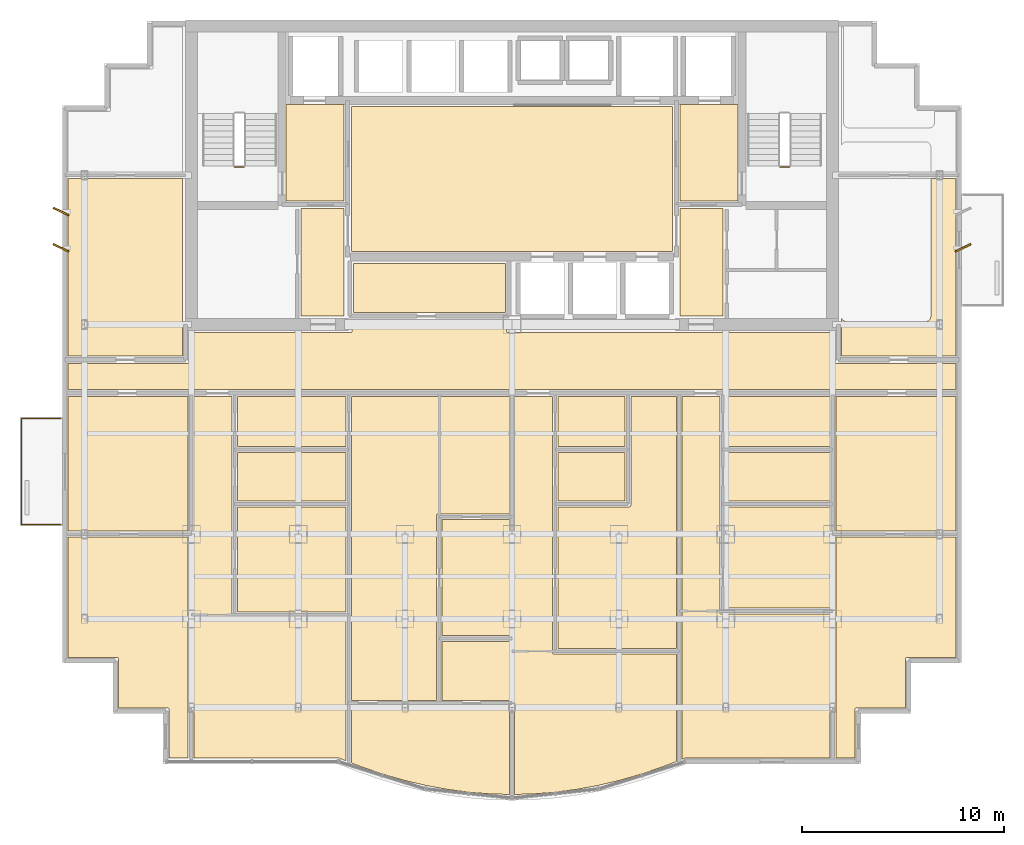
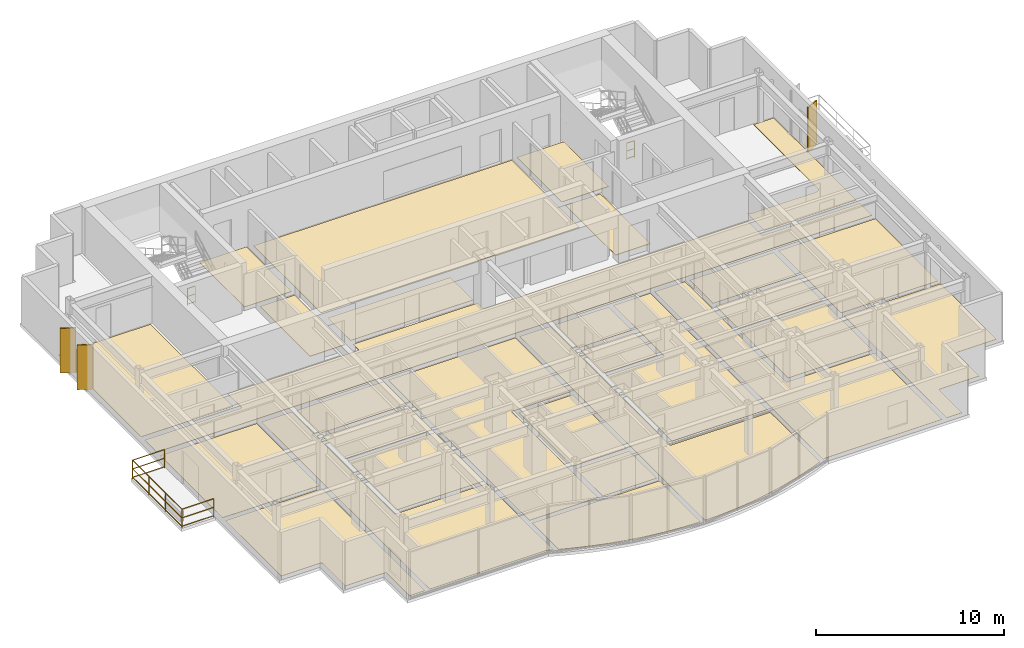
# One storey, part 10 of 11: 29 coverings, 3 railings, 3 shading devices.
"""IFC4 building model written with IfcOpenShell, lengths in metres."""

from ifc_helpers import new_model, si_unit, direction, frame, origin, origin_2d, place, context, subcontext, project, spatial, polyline, rectangle, circle, outline, extrude, source, transform, mapped, material, layer, layer_set, type_object, element, save


model = new_model("IFC4")

# Units and contexts
model_context = context("Model", 3, precision=1e-05, world=origin(), true_north=direction((0.0, 1.0)))
body_context = subcontext(model_context, "Body", "Model", "MODEL_VIEW")
ifc_project = project(units=[si_unit("LENGTHUNIT", "METRE"), si_unit("AREAUNIT", "SQUARE_METRE"), si_unit("VOLUMEUNIT", "CUBIC_METRE"), si_unit("PLANEANGLEUNIT", "RADIAN"), si_unit("MASSUNIT", "GRAM", prefix="KILO")], contexts=[model_context])

# Site, building, storey
site_placement = place(None, origin())
site = spatial("IfcSite", under=ifc_project, at=site_placement, CompositionType="ELEMENT")
building_placement = place(site_placement, origin())
building = spatial("IfcBuilding", under=site, at=building_placement, Name="Qianlan Lanfeng Residences", CompositionType="ELEMENT")
storey_placement = place(building_placement, frame((0.0, 0.0, 152.39990234375)))
storey = spatial("IfcBuildingStorey", under=building, at=storey_placement, Name="L41", CompositionType="ELEMENT", Elevation=152.39990234375)

# Coverings
ifc_material_1 = material(Name="Honed Taitung Granite Stone Flooring", Category="masonry")
ifc_layer_1 = layer(ifc_material_1, 0.030029296875)
ifc_layer_set_1 = layer_set([ifc_layer_1], Name="Honed Taitung Granite Stone Flooring")
covering_type_1 = type_object("IfcCoveringType", Name="FLR-STN-30", PredefinedType="FLOORING", material=ifc_layer_set_1)
covering_1_placement = place(storey_placement, origin())
element("IfcCovering", 1, at=covering_1_placement, inside=storey, type_object=covering_type_1, Name="L41 Firefighting Lift Lobby Floor Finish", PredefinedType="FLOORING", context=body_context, shape_type="SweptSolid", body=[
    extrude(outline(polyline([(15.2900390625, 31.320068359375), (18.179931640625, 31.320068359375), (18.179931640625, 36.110107421875), (15.2900390625, 36.110107421875), (15.2900390625, 31.320068359375)])), origin(), (0.0, 0.0, 1.0), 0.030029296875),
])
covering_2_placement = place(storey_placement, origin())
element("IfcCovering", 2, at=covering_2_placement, inside=storey, type_object=covering_type_1, Name="L41 Firefighting Lift Lobby Floor Finish", PredefinedType="FLOORING", context=body_context, shape_type="SweptSolid", body=[
    extrude(outline(polyline([(34.820068359375, 31.320068359375), (37.7099609375, 31.320068359375), (37.7099609375, 36.110107421875), (34.820068359375, 36.110107421875), (34.820068359375, 31.320068359375)])), origin(), (0.0, 0.0, 1.0), 0.030029296875),
])
covering_3_placement = place(storey_placement, origin())
element("IfcCovering", 3, at=covering_3_placement, inside=storey, type_object=covering_type_1, Name="L41 Lift Lobby Floor Finish", PredefinedType="FLOORING", context=body_context, shape_type="SweptSolid", body=[
    extrude(outline(polyline([(18.550048828125, 28.820068359375), (34.449951171875, 28.820068359375), (34.449951171875, 36.010009765625), (18.550048828125, 36.010009765625), (18.550048828125, 28.820068359375)])), origin(), (0.0, 0.0, 1.0), 0.030029296875),
])
covering_4_placement = place(storey_placement, origin())
element("IfcCovering", 4, at=covering_4_placement, inside=storey, type_object=covering_type_1, Name="L41 Residential Corridor Floor Finish", PredefinedType="FLOORING", context=body_context, shape_type="SweptSolid", body=[
    extrude(outline(polyline([(4.489990234375, 21.97998046875), (48.510009765625, 21.97998046875), (48.510009765625, 23.27001953125), (42.590087890625, 23.27001953125), (42.5830078125, 23.27001953125), (42.575927734375, 23.27099609375), (42.570068359375, 23.27294921875), (42.56298828125, 23.27490234375), (42.556884765625, 23.278076171875), (42.551025390625, 23.281982421875), (42.5458984375, 23.285888671875), (42.541015625, 23.291015625), (42.535888671875, 23.2958984375), (42.531982421875, 23.301025390625), (42.528076171875, 23.306884765625), (42.52490234375, 23.31298828125), (42.52294921875, 23.320068359375), (42.52099609375, 23.325927734375), (42.52001953125, 23.3330078125), (42.52001953125, 23.340087890625), (42.52001953125, 24.800048828125), (26.300048828125, 24.800048828125), (26.29296875, 24.800048828125), (26.285888671875, 24.801025390625), (26.280029296875, 24.802978515625), (26.27294921875, 24.804931640625), (26.26708984375, 24.80810546875), (26.260986328125, 24.81201171875), (26.256103515625, 24.81591796875), (26.2509765625, 24.821044921875), (26.24609375, 24.825927734375), (26.241943359375, 24.8310546875), (26.238037109375, 24.8369140625), (26.235107421875, 24.843017578125), (26.23291015625, 24.85009765625), (26.23095703125, 24.85595703125), (26.22998046875, 24.863037109375), (26.22998046875, 24.8701171875), (26.22998046875, 25.429931640625), (18.570068359375, 25.429931640625), (18.570068359375, 24.8701171875), (18.570068359375, 24.863037109375), (18.569091796875, 24.85595703125), (18.56689453125, 24.85009765625), (18.56494140625, 24.843017578125), (18.56201171875, 24.8369140625), (18.55810546875, 24.8310546875), (18.553955078125, 24.825927734375), (18.549072265625, 24.821044921875), (18.5439453125, 24.81591796875), (18.5390625, 24.81201171875), (18.532958984375, 24.80810546875), (18.527099609375, 24.804931640625), (18.52001953125, 24.802978515625), (18.513916015625, 24.801025390625), (18.507080078125, 24.800048828125), (18.5, 24.800048828125), (10.47998046875, 24.800048828125), (10.47998046875, 23.340087890625), (10.47998046875, 23.3330078125), (10.47900390625, 23.325927734375), (10.47705078125, 23.320068359375), (10.47509765625, 23.31298828125), (10.471923828125, 23.306884765625), (10.468017578125, 23.301025390625), (10.464111328125, 23.2958984375), (10.458984375, 23.291015625), (10.4541015625, 23.285888671875), (10.448974609375, 23.281982421875), (10.443115234375, 23.278076171875), (10.43701171875, 23.27490234375), (10.429931640625, 23.27294921875), (10.424072265625, 23.27099609375), (10.4169921875, 23.27001953125), (10.409912109375, 23.27001953125), (4.489990234375, 23.27001953125), (4.489990234375, 21.97998046875)])), origin(), (0.0, 0.0, 1.0), 0.030029296875),
])
covering_5_placement = place(storey_placement, origin())
element("IfcCovering", 5, at=covering_5_placement, inside=storey, type_object=covering_type_1, Name="L41 Lift Lobby Floor Finish", PredefinedType="FLOORING", context=body_context, shape_type="SweptSolid", body=[
    extrude(outline(polyline([(16.030029296875, 25.610107421875), (18.169921875, 25.610107421875), (18.169921875, 30.949951171875), (16.030029296875, 30.949951171875), (16.030029296875, 25.610107421875)])), origin(), (0.0, 0.0, 1.0), 0.030029296875),
])
covering_6_placement = place(storey_placement, origin())
element("IfcCovering", 6, at=covering_6_placement, inside=storey, type_object=covering_type_1, Name="L41 Lift Lobby Floor Finish", PredefinedType="FLOORING", context=body_context, shape_type="SweptSolid", body=[
    extrude(outline(polyline([(34.830078125, 25.610107421875), (36.969970703125, 25.610107421875), (36.969970703125, 30.949951171875), (34.830078125, 30.949951171875), (34.830078125, 25.610107421875)])), origin(), (0.0, 0.0, 1.0), 0.030029296875),
])
ifc_material_2 = material(Name="Slip-Resistant Porcelain Tile Flooring")
ifc_layer_2 = layer(ifc_material_2, 0.02001953125)
ifc_layer_set_2 = layer_set([ifc_layer_2], Name="Slip-Resistant Porcelain Tile Flooring")
covering_type_2 = type_object("IfcCoveringType", Name="FLR-TIL-20", PredefinedType="FLOORING", material=ifc_layer_set_2)
covering_7_placement = place(storey_placement, origin())
element("IfcCovering", 7, at=covering_7_placement, inside=storey, type_object=covering_type_2, Name="L41 Kitchen Floor Finish", PredefinedType="FLOORING", context=body_context, shape_type="SweptSolid", body=[
    extrude(outline(polyline([(12.889892578125, 16.43994140625), (18.260009765625, 16.43994140625), (18.260009765625, 18.860107421875), (12.889892578125, 18.860107421875), (12.889892578125, 16.43994140625)])), origin(), (0.0, 0.0, 1.0), 0.02001953125),
])
covering_8_placement = place(storey_placement, origin())
element("IfcCovering", 8, at=covering_8_placement, inside=storey, type_object=covering_type_2, Name="L41 Bathroom Floor Finish", PredefinedType="FLOORING", context=body_context, shape_type="SweptSolid", body=[
    extrude(outline(polyline([(12.889892578125, 19.139892578125), (18.260009765625, 19.139892578125), (18.260009765625, 21.6298828125), (12.889892578125, 21.6298828125), (12.889892578125, 19.139892578125)])), origin(), (0.0, 0.0, 1.0), 0.02001953125),
])
covering_9_placement = place(storey_placement, origin())
element("IfcCovering", 9, at=covering_9_placement, inside=storey, type_object=covering_type_2, Name="L41 En-Suite Bathroom Floor Finish", PredefinedType="FLOORING", context=body_context, shape_type="SweptSolid", body=[
    extrude(outline(polyline([(23.0400390625, 6.56396484375), (26.3701171875, 6.56396484375), (26.3701171875, 9.48388671875), (23.0400390625, 9.48388671875), (23.0400390625, 6.56396484375)])), origin(), (0.0, 0.0, 1.0), 0.02001953125),
])
covering_10_placement = place(storey_placement, origin())
element("IfcCovering", 10, at=covering_10_placement, inside=storey, type_object=covering_type_2, Name="L41 Kitchen Floor Finish", PredefinedType="FLOORING", context=body_context, shape_type="SweptSolid", body=[
    extrude(outline(polyline([(28.7900390625, 16.43994140625), (32.110107421875, 16.43994140625), (32.110107421875, 18.860107421875), (28.7900390625, 18.860107421875), (28.7900390625, 16.43994140625)])), origin(), (0.0, 0.0, 1.0), 0.02001953125),
])
covering_11_placement = place(storey_placement, origin())
element("IfcCovering", 11, at=covering_11_placement, inside=storey, type_object=covering_type_2, Name="L41 Bathroom Floor Finish", PredefinedType="FLOORING", context=body_context, shape_type="SweptSolid", body=[
    extrude(outline(polyline([(28.7900390625, 19.139892578125), (32.110107421875, 19.139892578125), (32.110107421875, 21.6298828125), (28.7900390625, 21.6298828125), (28.7900390625, 19.139892578125)])), origin(), (0.0, 0.0, 1.0), 0.02001953125),
])
covering_12_placement = place(storey_placement, origin())
element("IfcCovering", 12, at=covering_12_placement, inside=storey, type_object=covering_type_2, Name="L41 Kitchen Floor Finish", PredefinedType="FLOORING", context=body_context, shape_type="SweptSolid", body=[
    extrude(outline(polyline([(37.090087890625, 16.43994140625), (42.260009765625, 16.43994140625), (42.260009765625, 18.860107421875), (37.090087890625, 18.860107421875), (37.090087890625, 16.43994140625)])), origin(), (0.0, 0.0, 1.0), 0.02001953125),
])
covering_13_placement = place(storey_placement, origin())
element("IfcCovering", 13, at=covering_13_placement, inside=storey, type_object=covering_type_2, Name="L41 Bathroom Floor Finish", PredefinedType="FLOORING", context=body_context, shape_type="SweptSolid", body=[
    extrude(outline(polyline([(37.090087890625, 19.139892578125), (42.260009765625, 19.139892578125), (42.260009765625, 21.6298828125), (37.090087890625, 21.6298828125), (37.090087890625, 19.139892578125)])), origin(), (0.0, 0.0, 1.0), 0.02001953125),
])
ifc_material_3 = material(Name="Engineered Smoked Oak Timber Flooring", Category="wood")
ifc_layer_3 = layer(ifc_material_3, 0.02197265625)
ifc_layer_set_3 = layer_set([ifc_layer_3], Name="Engineered Smoked Oak Timber Flooring")
covering_type_3 = type_object("IfcCoveringType", Name="FLR-TIM-22", PredefinedType="FLOORING", material=ifc_layer_set_3)
covering_14_placement = place(storey_placement, origin())
element("IfcCovering", 14, at=covering_14_placement, inside=storey, type_object=covering_type_3, Name="L41 Resident Reading Lounge Floor Finish", PredefinedType="FLOORING", context=body_context, shape_type="SweptSolid", body=[
    extrude(outline(polyline([(18.6298828125, 25.800048828125), (26.169921875, 25.800048828125), (26.169921875, 28.22998046875), (18.6298828125, 28.22998046875), (18.6298828125, 25.800048828125)])), origin(), (0.0, 0.0, 1.0), 0.022216796875),
])
covering_15_placement = place(storey_placement, origin())
element("IfcCovering", 15, at=covering_15_placement, inside=storey, type_object=covering_type_3, Name="L41 Living and Dining Room Floor Finish", PredefinedType="FLOORING", context=body_context, shape_type="SweptSolid", body=[
    extrude(outline(polyline([(18.27001953125, 3.55908203125), (18.27001953125, 10.658935546875), (12.679931640625, 10.658935546875), (12.673095703125, 10.658935546875), (12.666015625, 10.659912109375), (12.659912109375, 10.662109375), (12.653076171875, 10.6640625), (12.64697265625, 10.6669921875), (12.64111328125, 10.6708984375), (12.635986328125, 10.675048828125), (12.631103515625, 10.679931640625), (12.6259765625, 10.68505859375), (12.6220703125, 10.68994140625), (12.617919921875, 10.696044921875), (12.614990234375, 10.701904296875), (12.613037109375, 10.708984375), (12.611083984375, 10.715087890625), (12.610107421875, 10.721923828125), (12.610107421875, 10.72900390625), (12.610107421875, 21.6298828125), (10.72998046875, 21.6298828125), (10.72998046875, 3.68994140625), (17.922119140625, 3.68994140625), (17.927978515625, 3.68994140625), (17.93505859375, 3.68896484375), (17.94091796875, 3.68701171875), (17.947021484375, 3.68505859375), (18.27001953125, 3.55908203125)])), origin(), (0.0, 0.0, 1.0), 0.022216796875),
])
covering_16_placement = place(storey_placement, origin())
element("IfcCovering", 16, at=covering_16_placement, inside=storey, type_object=covering_type_3, Name="L41 Villa Family Sitting Room Floor Finish", PredefinedType="FLOORING", context=body_context, shape_type="SweptSolid", body=[
    extrude(outline(polyline([(12.889892578125, 16.159912109375), (12.889892578125, 10.93896484375), (18.27001953125, 10.93896484375), (18.27001953125, 16.159912109375), (12.889892578125, 16.159912109375)])), origin(), (0.0, 0.0, 1.0), 0.022216796875),
])
covering_17_placement = place(storey_placement, origin())
element("IfcCovering", 17, at=covering_17_placement, inside=storey, type_object=covering_type_3, Name="L41 Private Study Floor Finish", PredefinedType="FLOORING", context=body_context, shape_type="SweptSolid", body=[
    extrude(outline(polyline([(23.0400390625, 9.763916015625), (26.3701171875, 9.763916015625), (26.3701171875, 15.52197265625), (23.0400390625, 15.52197265625), (23.0400390625, 9.763916015625)])), origin(), (0.0, 0.0, 1.0), 0.022216796875),
])
covering_18_placement = place(storey_placement, origin())
element("IfcCovering", 18, at=covering_18_placement, inside=storey, type_object=covering_type_3, Name="L41 Villa Family Sitting Room Floor Finish", PredefinedType="FLOORING", context=body_context, shape_type="SweptSolid", body=[
    extrude(outline(polyline([(18.530029296875, 6.56396484375), (22.760009765625, 6.56396484375), (22.760009765625, 15.73193359375), (22.760009765625, 15.739013671875), (22.760986328125, 15.74609375), (22.762939453125, 15.751953125), (22.764892578125, 15.759033203125), (22.76806640625, 15.764892578125), (22.77197265625, 15.77099609375), (22.77587890625, 15.77587890625), (22.781005859375, 15.781005859375), (22.785888671875, 15.785888671875), (22.791015625, 15.7900390625), (22.797119140625, 15.7939453125), (22.802978515625, 15.797119140625), (22.81005859375, 15.799072265625), (22.81591796875, 15.801025390625), (22.822998046875, 15.802001953125), (22.830078125, 15.802001953125), (26.3701171875, 15.802001953125), (26.3701171875, 21.6298828125), (18.530029296875, 21.6298828125), (18.530029296875, 6.56396484375)])), origin(), (0.0, 0.0, 1.0), 0.022216796875),
])
covering_19_placement = place(storey_placement, origin())
element("IfcCovering", 19, at=covering_19_placement, inside=storey, type_object=covering_type_3, Name="L41 Master Bedroom Floor Finish", PredefinedType="FLOORING", context=body_context, shape_type="SweptSolid", body=[
    extrude(outline(polyline([(18.530029296875, 6.283935546875), (18.530029296875, 3.45703125), (19.056884765625, 3.25), (20.1220703125, 2.888916015625), (21.18505859375, 2.583984375), (22.2490234375, 2.333984375), (23.31201171875, 2.139892578125), (24.375, 2.001953125), (25.43701171875, 1.91796875), (26.3701171875, 1.89306640625), (26.3701171875, 6.283935546875), (18.530029296875, 6.283935546875)])), origin(), (0.0, 0.0, 1.0), 0.022216796875),
])
covering_20_placement = place(storey_placement, origin())
element("IfcCovering", 20, at=covering_20_placement, inside=storey, type_object=covering_type_3, Name="L41 Studio Living Room Floor Finish", PredefinedType="FLOORING", context=body_context, shape_type="SweptSolid", body=[
    extrude(outline(polyline([(34.669921875, 3.534912109375), (34.669921875, 8.85107421875), (28.580078125, 8.85107421875), (28.572998046875, 8.85107421875), (28.56591796875, 8.85205078125), (28.56005859375, 8.85400390625), (28.552978515625, 8.85595703125), (28.547119140625, 8.85888671875), (28.541015625, 8.863037109375), (28.535888671875, 8.866943359375), (28.531005859375, 8.8720703125), (28.52587890625, 8.876953125), (28.52197265625, 8.882080078125), (28.51806640625, 8.887939453125), (28.514892578125, 8.89404296875), (28.512939453125, 8.90087890625), (28.510986328125, 8.906982421875), (28.510009765625, 8.9140625), (28.510009765625, 8.9208984375), (28.510009765625, 21.6298828125), (26.6298828125, 21.6298828125), (26.6298828125, 1.89306640625), (27.56298828125, 1.91796875), (28.625, 2.0009765625), (29.68701171875, 2.139892578125), (30.7509765625, 2.333984375), (31.81396484375, 2.583984375), (32.8779296875, 2.888916015625), (33.94189453125, 3.25), (34.669921875, 3.534912109375)])), origin(), (0.0, 0.0, 1.0), 0.022216796875),
])
covering_21_placement = place(storey_placement, origin())
element("IfcCovering", 21, at=covering_21_placement, inside=storey, type_object=covering_type_3, Name="L41 Villa Family Sitting Room Floor Finish", PredefinedType="FLOORING", context=body_context, shape_type="SweptSolid", body=[
    extrude(outline(polyline([(28.7900390625, 9.131103515625), (34.669921875, 9.131103515625), (34.669921875, 21.6298828125), (32.389892578125, 21.6298828125), (32.389892578125, 16.22998046875), (32.389892578125, 16.222900390625), (32.388916015625, 16.216064453125), (32.386962890625, 16.2099609375), (32.385009765625, 16.202880859375), (32.382080078125, 16.197021484375), (32.3779296875, 16.19091796875), (32.3740234375, 16.18603515625), (32.368896484375, 16.180908203125), (32.364013671875, 16.176025390625), (32.35888671875, 16.172119140625), (32.35302734375, 16.16796875), (32.346923828125, 16.1650390625), (32.340087890625, 16.1630859375), (32.333984375, 16.160888671875), (32.326904296875, 16.159912109375), (32.320068359375, 16.159912109375), (28.7900390625, 16.159912109375), (28.7900390625, 9.131103515625)])), origin(), (0.0, 0.0, 1.0), 0.022216796875),
])
covering_22_placement = place(storey_placement, origin())
element("IfcCovering", 22, at=covering_22_placement, inside=storey, type_object=covering_type_3, Name="L41 Studio Living Room Floor Finish", PredefinedType="FLOORING", context=body_context, shape_type="SweptSolid", body=[
    extrude(outline(polyline([(42.27001953125, 3.68994140625), (42.27001953125, 10.847900390625), (36.8798828125, 10.847900390625), (36.873046875, 10.847900390625), (36.865966796875, 10.84912109375), (36.860107421875, 10.85107421875), (36.85302734375, 10.85302734375), (36.846923828125, 10.85595703125), (36.841064453125, 10.860107421875), (36.8359375, 10.864013671875), (36.8310546875, 10.868896484375), (36.825927734375, 10.8740234375), (36.822021484375, 10.87890625), (36.818115234375, 10.885009765625), (36.81494140625, 10.89111328125), (36.81298828125, 10.89794921875), (36.81103515625, 10.904052734375), (36.81005859375, 10.910888671875), (36.81005859375, 10.91796875), (36.81005859375, 21.6298828125), (34.929931640625, 21.6298828125), (34.929931640625, 3.636962890625), (35.052978515625, 3.68505859375), (35.05908203125, 3.68701171875), (35.06494140625, 3.68896484375), (35.072021484375, 3.68994140625), (35.077880859375, 3.68994140625), (42.27001953125, 3.68994140625)])), origin(), (0.0, 0.0, 1.0), 0.022216796875),
])
covering_23_placement = place(storey_placement, origin())
element("IfcCovering", 23, at=covering_23_placement, inside=storey, type_object=covering_type_3, Name="L41 Villa Family Sitting Room Floor Finish", PredefinedType="FLOORING", context=body_context, shape_type="SweptSolid", body=[
    extrude(outline(polyline([(37.090087890625, 16.159912109375), (37.090087890625, 11.1279296875), (42.27001953125, 11.1279296875), (42.27001953125, 16.159912109375), (37.090087890625, 16.159912109375)])), origin(), (0.0, 0.0, 1.0), 0.022216796875),
])
covering_24_placement = place(storey_placement, origin())
element("IfcCovering", 24, at=covering_24_placement, inside=storey, type_object=covering_type_3, Name="L41 Sunroom Floor Finish", PredefinedType="FLOORING", context=body_context, shape_type="SweptSolid", body=[
    extrude(outline(polyline([(10.43994140625, 14.64990234375), (4.489990234375, 14.64990234375), (4.489990234375, 8.68994140625), (6.919921875, 8.68994140625), (6.927001953125, 8.68994140625), (6.93408203125, 8.68896484375), (6.93994140625, 8.68701171875), (6.947021484375, 8.68505859375), (6.952880859375, 8.681884765625), (6.958984375, 8.677978515625), (6.964111328125, 8.674072265625), (6.968994140625, 8.6689453125), (6.97412109375, 8.6640625), (6.97802734375, 8.658935546875), (6.98193359375, 8.653076171875), (6.985107421875, 8.64697265625), (6.987060546875, 8.639892578125), (6.989013671875, 8.634033203125), (6.989990234375, 8.626953125), (6.989990234375, 8.6201171875), (6.989990234375, 6.18994140625), (9.419921875, 6.18994140625), (9.427001953125, 6.18994140625), (9.43408203125, 6.18896484375), (9.43994140625, 6.18701171875), (9.447021484375, 6.18505859375), (9.452880859375, 6.181884765625), (9.458984375, 6.177978515625), (9.464111328125, 6.174072265625), (9.468994140625, 6.1689453125), (9.47412109375, 6.1640625), (9.47802734375, 6.158935546875), (9.48193359375, 6.153076171875), (9.485107421875, 6.14697265625), (9.487060546875, 6.139892578125), (9.489013671875, 6.134033203125), (9.489990234375, 6.126953125), (9.489990234375, 6.1201171875), (9.489990234375, 3.68994140625), (10.43994140625, 3.68994140625), (10.43994140625, 14.64990234375)])), origin(), (0.0, 0.0, 1.0), 0.022216796875),
])
covering_25_placement = place(storey_placement, origin())
element("IfcCovering", 25, at=covering_25_placement, inside=storey, type_object=covering_type_3, Name="L41 Family Sitting Room Floor Finish", PredefinedType="FLOORING", context=body_context, shape_type="SweptSolid", body=[
    extrude(outline(polyline([(10.43994140625, 21.6298828125), (4.489990234375, 21.6298828125), (4.489990234375, 14.949951171875), (10.43994140625, 14.949951171875), (10.43994140625, 21.6298828125)])), origin(), (0.0, 0.0, 1.0), 0.022216796875),
])
covering_26_placement = place(storey_placement, origin())
element("IfcCovering", 26, at=covering_26_placement, inside=storey, type_object=covering_type_3, Name="L41 Sunroom Floor Finish", PredefinedType="FLOORING", context=body_context, shape_type="SweptSolid", body=[
    extrude(outline(polyline([(48.510009765625, 14.64990234375), (42.56005859375, 14.64990234375), (42.56005859375, 3.68994140625), (43.510009765625, 3.68994140625), (43.510009765625, 6.1201171875), (43.510009765625, 6.126953125), (43.510986328125, 6.134033203125), (43.512939453125, 6.139892578125), (43.514892578125, 6.14697265625), (43.51806640625, 6.153076171875), (43.52197265625, 6.158935546875), (43.52587890625, 6.1640625), (43.531005859375, 6.1689453125), (43.535888671875, 6.174072265625), (43.541015625, 6.177978515625), (43.547119140625, 6.181884765625), (43.552978515625, 6.18505859375), (43.56005859375, 6.18701171875), (43.56591796875, 6.18896484375), (43.572998046875, 6.18994140625), (43.580078125, 6.18994140625), (46.010009765625, 6.18994140625), (46.010009765625, 8.6201171875), (46.010009765625, 8.626953125), (46.010986328125, 8.634033203125), (46.012939453125, 8.639892578125), (46.014892578125, 8.64697265625), (46.01806640625, 8.653076171875), (46.02197265625, 8.658935546875), (46.02587890625, 8.6640625), (46.031005859375, 8.6689453125), (46.035888671875, 8.674072265625), (46.041015625, 8.677978515625), (46.047119140625, 8.681884765625), (46.052978515625, 8.68505859375), (46.06005859375, 8.68701171875), (46.06591796875, 8.68896484375), (46.072998046875, 8.68994140625), (46.080078125, 8.68994140625), (48.510009765625, 8.68994140625), (48.510009765625, 14.64990234375)])), origin(), (0.0, 0.0, 1.0), 0.022216796875),
])
covering_27_placement = place(storey_placement, origin())
element("IfcCovering", 27, at=covering_27_placement, inside=storey, type_object=covering_type_3, Name="L41 Private Study Floor Finish", PredefinedType="FLOORING", context=body_context, shape_type="SweptSolid", body=[
    extrude(outline(polyline([(48.510009765625, 21.6298828125), (42.56005859375, 21.6298828125), (42.56005859375, 14.949951171875), (48.510009765625, 14.949951171875), (48.510009765625, 21.6298828125)])), origin(), (0.0, 0.0, 1.0), 0.022216796875),
])
covering_28_placement = place(storey_placement, origin())
element("IfcCovering", 28, at=covering_28_placement, inside=storey, type_object=covering_type_3, Name="L41 Cigar and Tea Room Floor Finish", PredefinedType="FLOORING", context=body_context, shape_type="SweptSolid", body=[
    extrude(outline(polyline([(10.14990234375, 32.449951171875), (4.489990234375, 32.449951171875), (4.489990234375, 23.6298828125), (10.14990234375, 23.6298828125), (10.14990234375, 32.449951171875)])), origin(), (0.0, 0.0, 1.0), 0.022216796875),
])
covering_29_placement = place(storey_placement, origin())
element("IfcCovering", 29, at=covering_29_placement, inside=storey, type_object=covering_type_3, Name="L41 Cigar and Tea Room Floor Finish", PredefinedType="FLOORING", context=body_context, shape_type="SweptSolid", body=[
    extrude(outline(polyline([(48.510009765625, 32.449951171875), (47.27001953125, 32.449951171875), (47.27001953125, 25.60009765625), (47.26904296875, 25.574951171875), (47.264892578125, 25.551025390625), (47.259033203125, 25.527099609375), (47.2509765625, 25.50390625), (47.239990234375, 25.48193359375), (47.22802734375, 25.4609375), (47.212890625, 25.44091796875), (47.197021484375, 25.423095703125), (47.178955078125, 25.406982421875), (47.158935546875, 25.39208984375), (47.137939453125, 25.3798828125), (47.115966796875, 25.368896484375), (47.093017578125, 25.361083984375), (47.069091796875, 25.35498046875), (47.044921875, 25.35107421875), (47.02001953125, 25.35009765625), (43.080078125, 25.35009765625), (43.054931640625, 25.35107421875), (43.031005859375, 25.35498046875), (43.007080078125, 25.361083984375), (42.98388671875, 25.368896484375), (42.9619140625, 25.3798828125), (42.94091796875, 25.39208984375), (42.9208984375, 25.406982421875), (42.903076171875, 25.423095703125), (42.886962890625, 25.44091796875), (42.8720703125, 25.4609375), (42.860107421875, 25.48193359375), (42.85009765625, 25.501953125), (42.85009765625, 23.6298828125), (48.510009765625, 23.6298828125), (48.510009765625, 32.449951171875)])), origin(), (0.0, 0.0, 1.0), 0.022216796875),
])

# Railings
ifc_material_4 = material(Name="Anodised Bronze Aluminium and Laminated Glass Guard Balustrade", Category="aluminium")
railing_type_1 = type_object("IfcRailingType", Name="GR-EXT-1220", PredefinedType="BALUSTRADE", material=ifc_material_4)
railing_placement = place(storey_placement, frame((4.1298828125, 15.27001953125, 0.0)))
element("IfcRailing", 30, at=railing_placement, inside=storey, type_object=railing_type_1, Name="L41 Terrace Safety Guard GR-L41-WB-S", PredefinedType="BALUSTRADE", context=body_context, shape_type="SweptSolid", body=[
    extrude(circle(Radius=0.02490234375, at=origin_2d()), frame((0.0, 0.0, 0.0849609375), z_axis=(-1.0, 0.0, 0.0), x_axis=(0.0, -1.0, 0.0)), (0.0, 0.0, 1.0), 1.9599609375),
    extrude(circle(Radius=0.02490234375, at=origin_2d()), frame((0.0, 0.0, 0.63427734375), z_axis=(-1.0, 0.0, 0.0), x_axis=(0.0, -1.0, 0.0)), (0.0, 0.0, 1.0), 1.9599609375),
    extrude(circle(Radius=0.02490234375, at=origin_2d()), frame((0.0, 0.0, 1.19482421875), z_axis=(-1.0, 0.0, 0.0), x_axis=(0.0, -1.0, 0.0)), (0.0, 0.0, 1.0), 1.9599609375),
    extrude(circle(Radius=0.02490234375, at=origin_2d()), frame((-1.9599609375, 0.0, 0.0849609375), z_axis=(0.0, 1.0, 0.0), x_axis=(-1.0, 0.0, 0.0)), (0.0, 0.0, 1.0), 5.260009765625),
    extrude(circle(Radius=0.02490234375, at=origin_2d()), frame((-1.9599609375, 0.0, 0.63427734375), z_axis=(0.0, 1.0, 0.0), x_axis=(-1.0, 0.0, 0.0)), (0.0, 0.0, 1.0), 5.260009765625),
    extrude(circle(Radius=0.02490234375, at=origin_2d()), frame((-1.9599609375, 0.0, 1.19482421875), z_axis=(0.0, 1.0, 0.0), x_axis=(-1.0, 0.0, 0.0)), (0.0, 0.0, 1.0), 5.260009765625),
    extrude(circle(Radius=0.02490234375, at=origin_2d()), frame((-1.9599609375, 5.260009765625, 0.0849609375), z_axis=(1.0, 0.0, 0.0), x_axis=(0.0, 1.0, 0.0)), (0.0, 0.0, 1.0), 1.9599609375),
    extrude(circle(Radius=0.02490234375, at=origin_2d()), frame((-1.9599609375, 5.260009765625, 0.63427734375), z_axis=(1.0, 0.0, 0.0), x_axis=(0.0, 1.0, 0.0)), (0.0, 0.0, 1.0), 1.9599609375),
    extrude(circle(Radius=0.02490234375, at=origin_2d()), frame((-1.9599609375, 5.260009765625, 1.19482421875), z_axis=(1.0, 0.0, 0.0), x_axis=(0.0, 1.0, 0.0)), (0.0, 0.0, 1.0), 1.9599609375),
    extrude(circle(Radius=0.02099609375, at=origin_2d()), origin(), (0.0, 0.0, 1.0), 1.169921875),
    extrude(circle(Radius=0.02099609375, at=origin_2d()), frame((-1.9599609375, 0.0, 0.0)), (0.0, 0.0, 1.0), 1.169921875),
    extrude(circle(Radius=0.02099609375, at=origin_2d()), frame((-1.9599609375, 1.75341796875, 0.0)), (0.0, 0.0, 1.0), 1.169921875),
    extrude(circle(Radius=0.02099609375, at=origin_2d()), frame((-1.9599609375, 3.506591796875, 0.0)), (0.0, 0.0, 1.0), 1.169921875),
    extrude(circle(Radius=0.02099609375, at=origin_2d()), frame((-1.9599609375, 5.260009765625, 0.0)), (0.0, 0.0, 1.0), 1.169921875),
    extrude(circle(Radius=0.02099609375, at=origin_2d()), frame((0.0, 5.260009765625, 0.0)), (0.0, 0.0, 1.0), 1.169921875),
])
ifc_material_5 = material(Name="Painted Galvanised Steel Guardrail", Category="steel")
railing_type_2 = type_object("IfcRailingType", Name="GR-ST-1120", PredefinedType="GUARDRAIL", material=ifc_material_5)
for number, where, name in (
    (31, (13.219970703125, 33.0, 0.0), "L41 ST-1 stair guard 4"),
    (32, (40.260009765625, 33.0, 0.0), "L41 ST-2 stair guard 4"),
):
    element("IfcRailing", number, at=place(storey_placement, frame(where)), inside=storey, type_object=railing_type_2, Name=name, PredefinedType="GUARDRAIL", context=body_context, shape_type="SweptSolid", body=[
        extrude(circle(Radius=0.02392578125, at=origin_2d()), frame((0.0, 0.0, 0.083984375), z_axis=(-1.0, 0.0, 0.0), x_axis=(0.0, -1.0, 0.0)), (0.0, 0.0, 1.0), 0.47998046875),
        extrude(circle(Radius=0.02392578125, at=origin_2d()), frame((0.0, 0.0, 0.58251953125), z_axis=(-1.0, 0.0, 0.0), x_axis=(0.0, -1.0, 0.0)), (0.0, 0.0, 1.0), 0.47998046875),
        extrude(circle(Radius=0.02392578125, at=origin_2d()), frame((0.0, 0.0, 1.09619140625), z_axis=(-1.0, 0.0, 0.0), x_axis=(0.0, -1.0, 0.0)), (0.0, 0.0, 1.0), 0.47998046875),
        extrude(circle(Radius=0.02099609375, at=origin_2d()), origin(), (0.0, 0.0, 1.0), 1.072021484375),
        extrude(circle(Radius=0.02099609375, at=origin_2d()), frame((-0.47998046875, 0.0, 0.0)), (0.0, 0.0, 1.0), 1.072021484375),
    ])

# Shading devices
ifc_material_6 = material(Name="Anodised Bronze Aluminium Solar Fin", Category="aluminium")
shading_device_type = type_object("IfcShadingDeviceType", Name="FIN-BRZ-850", PredefinedType="SHUTTER", material=ifc_material_6)
shared_shape = source(origin(), body_context, "Body", "SweptSolid", [
    extrude(rectangle(XDim=0.85009765625, YDim=0.080078125, at=origin_2d()), origin(), (0.0, 0.0, 1.0), 2.89990234375),
])
for number, where, z_axis, x_axis, name in (
    (33, (4.1298828125, 29.0, 0.000244140625), (0.0, 0.0, 1.0), (0.898794046299, -0.438371146789, 0.0), "L41 Raked Bronze Solar Fin W1"),
    (34, (4.1298828125, 30.800048828125, 0.000244140625), (0.0, 0.0, 1.0), (0.898794046299, -0.438371146789, 0.0), "L41 Raked Bronze Solar Fin W2"),
    (35, (48.8701171875, 29.0, 0.000244140625), (0.0, 0.0, 1.0), (0.898794046299, 0.438371146789, 0.0), "L41 Raked Bronze Solar Fin E1"),
):
    element("IfcShadingDevice", number, at=place(storey_placement, frame(where, z_axis=z_axis, x_axis=x_axis)), inside=storey, type_object=shading_device_type, Name=name, PredefinedType="SHUTTER", context=body_context, shape_type="MappedRepresentation", body=[
        mapped(shared_shape, transform((0.0, 0.0, 0.0), scale=1.0)),
    ])

save(model, "model.ifc")
